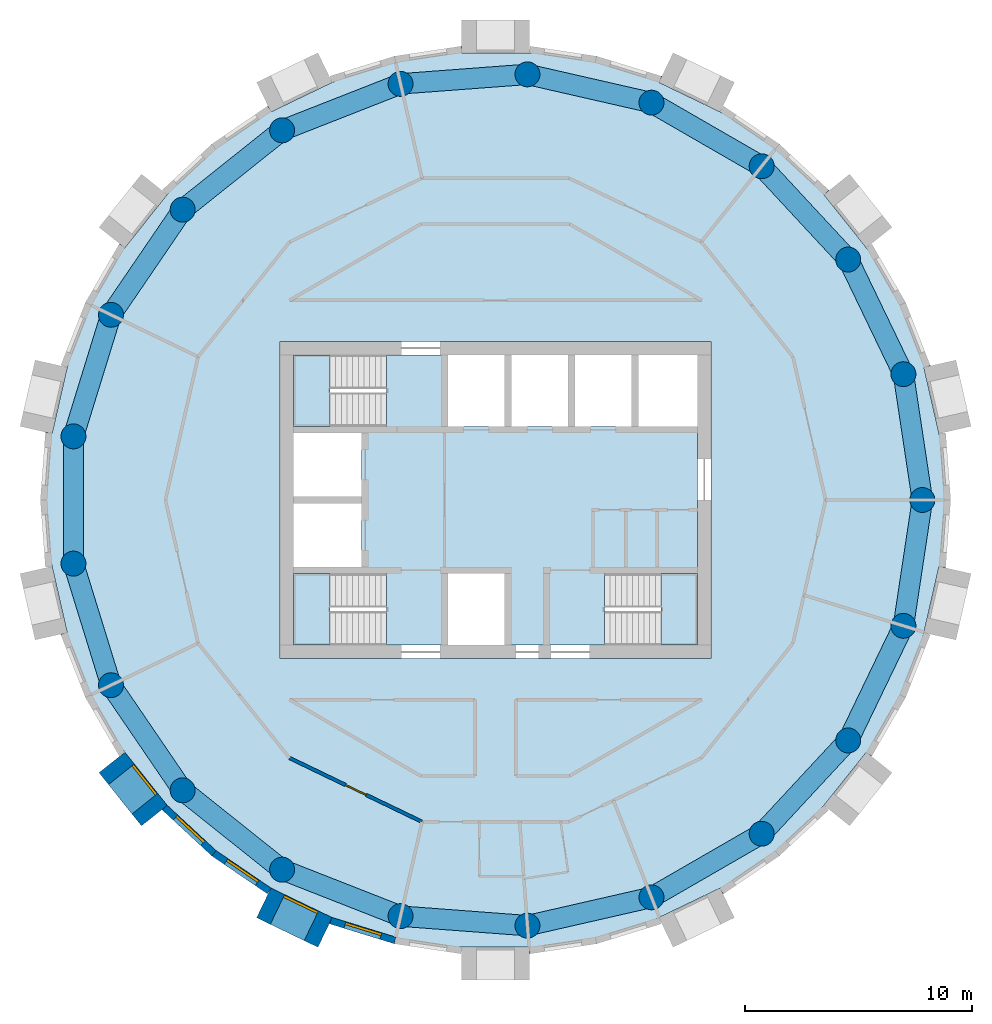
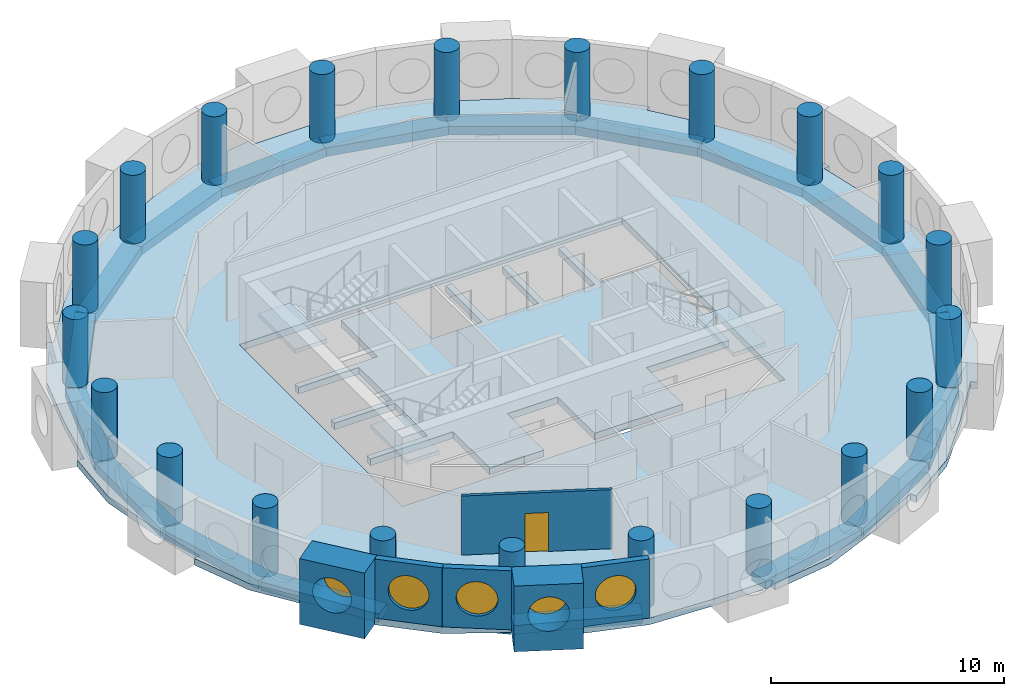
# One storey, part 1 of 13: 21 beams, 21 columns, 6 walls, 5 slabs, 5 windows, 1 door, 6 openings, 3 elements without a shape of their own.
"""IFC4 building model written with IfcOpenShell, lengths in metres."""

from ifc_helpers import new_model, si_unit, direction, frame, frame_2d, origin, origin_2d, place, context, subcontext, project, spatial, polyline, rectangle, circle, outline, extrude, material, layer, layer_set, material_profile, profile_set, type_object, element, fill, aggregate, save


model = new_model("IFC4")

# Units and contexts
model_context = context("Model", 3, precision=1e-05, world=origin(), true_north=direction((0.0, 1.0)))
body_context = subcontext(model_context, "Body", "Model", "MODEL_VIEW")
ifc_project = project(units=[si_unit("LENGTHUNIT", "METRE"), si_unit("AREAUNIT", "SQUARE_METRE"), si_unit("VOLUMEUNIT", "CUBIC_METRE"), si_unit("PLANEANGLEUNIT", "RADIAN"), si_unit("MASSUNIT", "GRAM", prefix="KILO")], contexts=[model_context])

# Site, building, storey
site_placement = place(None, origin())
site = spatial("IfcSite", under=ifc_project, at=site_placement, CompositionType="ELEMENT")
building_placement = place(site_placement, origin())
building = spatial("IfcBuilding", under=site, at=building_placement, Name="Tracery Tower", CompositionType="ELEMENT")
storey_placement = place(building_placement, frame((0.0, 0.0, 274.199951171875)))
storey = spatial("IfcBuildingStorey", under=building, at=storey_placement, Name="L71", CompositionType="ELEMENT", Elevation=274.199951171875)

# Columns
ifc_material_1 = material(Name="Concrete C40/50", Category="concrete")
ifc_material_profile_1 = material_profile(ifc_material_1, circle(Radius=0.550048828125, at=origin_2d()), Name="RC D1100")
ifc_profile_set_1 = profile_set([ifc_material_profile_1], Name="Concrete C40/50")
column_type = type_object("IfcColumnType", Name="Ring 2 column 1100", PredefinedType="COLUMN", material=ifc_profile_set_1)
for number, where, z_axis, x_axis, name in (
    (1, (18.822265625, 0.0, 0.0), (0.0, 0.0, 1.0), (1.0, 0.0, 0.0), "Ring 2 column 00 at L71"),
    (2, (17.986083984375, 5.5478515625, 0.0), (0.0, 0.0, 1.0), (1.0, 0.0, 0.0), "Ring 2 column 01 at L71"),
    (3, (15.551513671875, 10.602783203125, 0.0), (0.0, 0.0, 1.0), (1.0, 0.0, 0.0), "Ring 2 column 02 at L71"),
    (4, (11.7353515625, 14.7158203125, 0.0), (0.0, 0.0, 1.0), (1.0, 0.0, 0.0), "Ring 2 column 03 at L71"),
    (5, (6.87646484375, 17.52099609375, 0.0), (0.0, 0.0, 1.0), (1.0, 0.0, 0.0), "Ring 2 column 04 at L71"),
    (6, (1.406494140625, 18.76953125, 0.0), (0.0, 0.0, 1.0), (1.0, 0.0, 0.0), "Ring 2 column 05 at L71"),
    (7, (-4.188232421875, 18.350341796875, 0.0), (0.0, 0.0, 1.0), (1.0, 0.0, 0.0), "Ring 2 column 06 at L71"),
    (8, (-9.4111328125, 16.300537109375, 0.0), (0.0, 0.0, 1.0), (1.0, 0.0, 0.0), "Ring 2 column 07 at L71"),
    (9, (-13.797607421875, 12.802490234375, 0.0), (0.0, 0.0, 1.0), (1.0, 0.0, 0.0), "Ring 2 column 08 at L71"),
    (10, (-16.958251953125, 8.16650390625, 0.0), (0.0, 0.0, 1.0), (1.0, 0.0, 0.0), "Ring 2 column 09 at L71"),
    (11, (-18.612060546875, 2.805419921875, 0.0), (0.0, 0.0, 1.0), (1.0, 0.0, 0.0), "Ring 2 column 10 at L71"),
    (12, (-18.612060546875, -2.805419921875, 0.0), (0.0, 0.0, 1.0), (1.0, 0.0, 0.0), "Ring 2 column 11 at L71"),
    (13, (-16.958251953125, -8.166748046875, 0.0), (0.0, 0.0, 1.0), (1.0, 0.0, 0.0), "Ring 2 column 12 at L71"),
    (14, (-13.797607421875, -12.80224609375, 0.0), (0.0, 0.0, 1.0), (1.0, 0.0, 0.0), "Ring 2 column 13 at L71"),
    (15, (-9.4111328125, -16.300537109375, 0.0), (0.0, 0.0, 1.0), (1.0, 0.0, 0.0), "Ring 2 column 14 at L71"),
    (16, (-4.188232421875, -18.350341796875, 0.0), (0.0, 0.0, 1.0), (1.0, 0.0, 0.0), "Ring 2 column 15 at L71"),
    (17, (1.406494140625, -18.76953125, 0.0), (0.0, 0.0, 1.0), (1.0, 0.0, 0.0), "Ring 2 column 16 at L71"),
    (18, (6.87646484375, -17.52099609375, 0.0), (0.0, 0.0, 1.0), (1.0, 0.0, 0.0), "Ring 2 column 17 at L71"),
    (19, (11.7353515625, -14.7158203125, 0.0), (0.0, 0.0, 1.0), (1.0, 0.0, 0.0), "Ring 2 column 18 at L71"),
    (20, (15.551513671875, -10.602783203125, 0.0), (0.0, 0.0, 1.0), (1.0, 0.0, 0.0), "Ring 2 column 19 at L71"),
    (21, (17.986083984375, -5.5478515625, 0.0), (0.0, 0.0, 1.0), (1.0, 0.0, 0.0), "Ring 2 column 20 at L71"),
):
    element("IfcColumn", number, at=place(storey_placement, frame(where, z_axis=z_axis, x_axis=x_axis)), inside=storey, type_object=column_type, Name=name, PredefinedType="COLUMN", context=body_context, shape_type="SweptSolid", body=[
        extrude(circle(Radius=0.550048828125, at=origin_2d()), origin(), (0.0, 0.0, 1.0), 3.60009765625),
    ])

# Beams
ifc_material_2 = material(Name="Concrete C40/50", Category="concrete")
ifc_material_profile_2 = material_profile(ifc_material_2, rectangle(XDim=0.89990234375, YDim=0.449951171875, at=origin_2d()), Name="RC 900x450")
ifc_profile_set_2 = profile_set([ifc_material_profile_2], Name="Concrete C40/50")
beam_type = type_object("IfcBeamType", Name="Perimeter band beam 900x450", PredefinedType="BEAM", material=ifc_profile_set_2)
for number, where, z_axis, x_axis, name in (
    (22, (18.822265625, 0.0, -0.574951171875), (-0.149038355855, 0.988831415603, 0.0), (-0.988831415603, -0.149038355855, 0.0), "Perimeter beam 2.00 under L71"),
    (23, (17.986083984375, 5.5478515625, -0.574951171875), (-0.433918973155, 0.900951899235, 0.0), (-0.900951899235, -0.433918973155, 0.0), "Perimeter beam 2.01 under L71"),
):
    element("IfcBeam", number, at=place(storey_placement, frame(where, z_axis=z_axis, x_axis=x_axis)), inside=storey, type_object=beam_type, Name=name, PredefinedType="BEAM", context=body_context, shape_type="SweptSolid", body=[
        extrude(rectangle(XDim=0.89990234375, YDim=0.449951171875, at=origin_2d()), origin(), (0.0, 0.0, 1.0), 5.610595703125),
    ])
beam_1_placement = place(storey_placement, frame((15.551513671875, 10.602783203125, -0.574951171875), z_axis=(-0.680155630824, 0.733067744386, 0.0), x_axis=(-0.733067744386, -0.680155630824, 0.0)))
element("IfcBeam", 24, at=beam_1_placement, inside=storey, type_object=beam_type, Name="Perimeter beam 2.02 under L71", PredefinedType="BEAM", context=body_context, shape_type="SweptSolid", body=[
    extrude(rectangle(XDim=0.89990234375, YDim=0.449951171875, at=origin_2d()), origin(), (0.0, 0.0, 1.0), 5.61083984375),
])
for number, where, z_axis, x_axis, name in (
    (25, (11.7353515625, 14.7158203125, -0.574951171875), (-0.866033412818, 0.49998612769, 0.0), (-0.49998612769, -0.866033412818, 0.0), "Perimeter beam 2.03 under L71"),
    (26, (6.87646484375, 17.52099609375, -0.574951171875), (-0.974925977366, 0.222529410768, 0.0), (-0.222529410768, -0.974925977366, 0.0), "Perimeter beam 2.04 under L71"),
):
    element("IfcBeam", number, at=place(storey_placement, frame(where, z_axis=z_axis, x_axis=x_axis)), inside=storey, type_object=beam_type, Name=name, PredefinedType="BEAM", context=body_context, shape_type="SweptSolid", body=[
        extrude(rectangle(XDim=0.89990234375, YDim=0.449951171875, at=origin_2d()), origin(), (0.0, 0.0, 1.0), 5.610595703125),
    ])
beam_2_placement = place(storey_placement, frame((1.406494140625, 18.76953125, -0.574951171875), z_axis=(-0.997204824387, -0.07471638521, 0.0), x_axis=(0.07471638521, -0.997204824387, 0.0)))
element("IfcBeam", 27, at=beam_2_placement, inside=storey, type_object=beam_type, Name="Perimeter beam 2.05 under L71", PredefinedType="BEAM", context=body_context, shape_type="SweptSolid", body=[
    extrude(rectangle(XDim=0.89990234375, YDim=0.449951171875, at=origin_2d()), origin(), (0.0, 0.0, 1.0), 5.6103515625),
])
beam_3_placement = place(storey_placement, frame((-4.188232421875, 18.350341796875, -0.574951171875), z_axis=(-0.930875728468, -0.365335979817, 0.0), x_axis=(0.365335979817, -0.930875728468, 0.0)))
element("IfcBeam", 28, at=beam_3_placement, inside=storey, type_object=beam_type, Name="Perimeter beam 2.06 under L71", PredefinedType="BEAM", context=body_context, shape_type="SweptSolid", body=[
    extrude(rectangle(XDim=0.89990234375, YDim=0.449951171875, at=origin_2d()), origin(), (0.0, 0.0, 1.0), 5.61083984375),
])
beam_4_placement = place(storey_placement, frame((-9.4111328125, 16.300537109375, -0.574951171875), z_axis=(-0.781835817725, -0.623484365579, 0.0), x_axis=(0.623484365579, -0.781835817725, 0.0)))
element("IfcBeam", 29, at=beam_4_placement, inside=storey, type_object=beam_type, Name="Perimeter beam 2.07 under L71", PredefinedType="BEAM", context=body_context, shape_type="SweptSolid", body=[
    extrude(rectangle(XDim=0.89990234375, YDim=0.449951171875, at=origin_2d()), origin(), (0.0, 0.0, 1.0), 5.610595703125),
])
beam_5_placement = place(storey_placement, frame((-13.797607421875, 12.802490234375, -0.574951171875), z_axis=(-0.563305770578, -0.826248515178, 0.0), x_axis=(0.826248515178, -0.563305770578, 0.0)))
element("IfcBeam", 30, at=beam_5_placement, inside=storey, type_object=beam_type, Name="Perimeter beam 2.08 under L71", PredefinedType="BEAM", context=body_context, shape_type="SweptSolid", body=[
    extrude(rectangle(XDim=0.89990234375, YDim=0.449951171875, at=origin_2d()), origin(), (0.0, 0.0, 1.0), 5.61083984375),
])
beam_6_placement = place(storey_placement, frame((-16.958251953125, 8.16650390625, -0.574951171875), z_axis=(-0.294776851839, -0.955566118916, 0.0), x_axis=(0.955566118916, -0.294776851839, 0.0)))
element("IfcBeam", 31, at=beam_6_placement, inside=storey, type_object=beam_type, Name="Perimeter beam 2.09 under L71", PredefinedType="BEAM", context=body_context, shape_type="SweptSolid", body=[
    extrude(rectangle(XDim=0.89990234375, YDim=0.449951171875, at=origin_2d()), origin(), (0.0, 0.0, 1.0), 5.6103515625),
])
beam_7_placement = place(storey_placement, frame((-18.612060546875, 2.805419921875, -0.574951171875), z_axis=(0.0, -1.0, 0.0), x_axis=(1.0, 0.0, 0.0)))
element("IfcBeam", 32, at=beam_7_placement, inside=storey, type_object=beam_type, Name="Perimeter beam 2.10 under L71", PredefinedType="BEAM", context=body_context, shape_type="SweptSolid", body=[
    extrude(rectangle(XDim=0.89990234375, YDim=0.449951171875, at=origin_2d()), origin(), (0.0, 0.0, 1.0), 5.61083984375),
])
for number, where, z_axis, x_axis, name in (
    (33, (-18.612060546875, -2.805419921875, -0.574951171875), (0.294764594813, -0.955569899926, 0.0), (0.955569899926, 0.294764594813, 0.0), "Perimeter beam 2.11 under L71"),
    (34, (-16.958251953125, -8.166748046875, -0.574951171875), (0.5633462764, -0.826220898348, 0.0), (0.826220898348, 0.5633462764, 0.0), "Perimeter beam 2.12 under L71"),
    (35, (-13.797607421875, -12.80224609375, -0.574951171875), (0.781814605872, -0.623510963853, 0.0), (0.623510963853, 0.781814605872, 0.0), "Perimeter beam 2.13 under L71"),
):
    element("IfcBeam", number, at=place(storey_placement, frame(where, z_axis=z_axis, x_axis=x_axis)), inside=storey, type_object=beam_type, Name=name, PredefinedType="BEAM", context=body_context, shape_type="SweptSolid", body=[
        extrude(rectangle(XDim=0.89990234375, YDim=0.449951171875, at=origin_2d()), origin(), (0.0, 0.0, 1.0), 5.610595703125),
    ])
beam_8_placement = place(storey_placement, frame((-9.4111328125, -16.300537109375, -0.574951171875), z_axis=(0.930875728468, -0.365335979817, 0.0), x_axis=(0.365335979817, 0.930875728468, 0.0)))
element("IfcBeam", 36, at=beam_8_placement, inside=storey, type_object=beam_type, Name="Perimeter beam 2.14 under L71", PredefinedType="BEAM", context=body_context, shape_type="SweptSolid", body=[
    extrude(rectangle(XDim=0.89990234375, YDim=0.449951171875, at=origin_2d()), origin(), (0.0, 0.0, 1.0), 5.61083984375),
])
beam_9_placement = place(storey_placement, frame((-4.188232421875, -18.350341796875, -0.574951171875), z_axis=(0.997204824387, -0.07471638521, 0.0), x_axis=(0.07471638521, 0.997204824387, 0.0)))
element("IfcBeam", 37, at=beam_9_placement, inside=storey, type_object=beam_type, Name="Perimeter beam 2.15 under L71", PredefinedType="BEAM", context=body_context, shape_type="SweptSolid", body=[
    extrude(rectangle(XDim=0.89990234375, YDim=0.449951171875, at=origin_2d()), origin(), (0.0, 0.0, 1.0), 5.6103515625),
])
for number, where, z_axis, x_axis, name in (
    (38, (1.406494140625, -18.76953125, -0.574951171875), (0.974925977366, 0.222529410768, 0.0), (-0.222529410768, 0.974925977366, 0.0), "Perimeter beam 2.16 under L71"),
    (39, (6.87646484375, -17.52099609375, -0.574951171875), (0.866033412818, 0.49998612769, 0.0), (-0.49998612769, 0.866033412818, 0.0), "Perimeter beam 2.17 under L71"),
):
    element("IfcBeam", number, at=place(storey_placement, frame(where, z_axis=z_axis, x_axis=x_axis)), inside=storey, type_object=beam_type, Name=name, PredefinedType="BEAM", context=body_context, shape_type="SweptSolid", body=[
        extrude(rectangle(XDim=0.89990234375, YDim=0.449951171875, at=origin_2d()), origin(), (0.0, 0.0, 1.0), 5.610595703125),
    ])
beam_10_placement = place(storey_placement, frame((11.7353515625, -14.7158203125, -0.574951171875), z_axis=(0.680155630824, 0.733067744386, 0.0), x_axis=(-0.733067744386, 0.680155630824, 0.0)))
element("IfcBeam", 40, at=beam_10_placement, inside=storey, type_object=beam_type, Name="Perimeter beam 2.18 under L71", PredefinedType="BEAM", context=body_context, shape_type="SweptSolid", body=[
    extrude(rectangle(XDim=0.89990234375, YDim=0.449951171875, at=origin_2d()), origin(), (0.0, 0.0, 1.0), 5.61083984375),
])
for number, where, z_axis, x_axis, name in (
    (41, (15.551513671875, -10.602783203125, -0.574951171875), (0.433918973155, 0.900951899235, 0.0), (-0.900951899235, 0.433918973155, 0.0), "Perimeter beam 2.19 under L71"),
    (42, (17.986083984375, -5.5478515625, -0.574951171875), (0.149038355855, 0.988831415603, 0.0), (-0.988831415603, 0.149038355855, 0.0), "Perimeter beam 2.20 under L71"),
):
    element("IfcBeam", number, at=place(storey_placement, frame(where, z_axis=z_axis, x_axis=x_axis)), inside=storey, type_object=beam_type, Name=name, PredefinedType="BEAM", context=body_context, shape_type="SweptSolid", body=[
        extrude(rectangle(XDim=0.89990234375, YDim=0.449951171875, at=origin_2d()), origin(), (0.0, 0.0, 1.0), 5.610595703125),
    ])

# Slabs
ifc_material_3 = material(Name="Concrete C40/50", Category="concrete")
ifc_layer_1 = layer(ifc_material_3, 0.35009765625)
ifc_layer_set_1 = layer_set([ifc_layer_1], Name="Core floor slab 350 C40")
slab_type_1 = type_object("IfcSlabType", Name="Core floor slab 350 C40", PredefinedType="FLOOR", material=ifc_layer_set_1)
slab_1_placement = place(storey_placement, frame((0.0, 0.0, -0.349853515625)))
element("IfcSlab", 43, at=slab_1_placement, inside=storey, type_object=slab_type_1, Name="L71 core floor 1", PredefinedType="FLOOR", context=body_context, shape_type="SweptSolid", body=[
    extrude(outline(polyline([(-4.800537109375, -3.25), (-8.89990234375, -3.25), (-8.89990234375, -2.949951171875), (-5.89990234375, -2.949951171875), (-5.89990234375, -0.14990234375), (-8.89990234375, -0.14990234375), (-8.89990234375, 0.14990234375), (-5.89990234375, 0.14990234375), (-5.89990234375, 2.949951171875), (-8.89990234375, 2.949951171875), (-8.89990234375, 3.25), (-4.800537109375, 3.25), (-4.800537109375, 6.39990234375), (-2.10009765625, 6.39990234375), (-2.10009765625, 3.25), (0.39990234375, 3.25), (0.39990234375, 6.39990234375), (0.699951171875, 6.39990234375), (0.699951171875, 3.25), (3.199951171875, 3.25), (3.199951171875, 6.39990234375), (3.5, 6.39990234375), (3.5, 3.25), (6.0, 3.25), (6.0, 6.39990234375), (6.300048828125, 6.39990234375), (6.300048828125, 3.25), (8.89990234375, 3.25), (8.89990234375, -3.25), (4.800537109375, -3.25), (4.800537109375, -6.39990234375), (0.39990234375, -6.39990234375), (0.39990234375, -3.25), (-2.10009765625, -3.25), (-2.10009765625, -6.39990234375), (-4.800537109375, -6.39990234375), (-4.800537109375, -3.25)])), origin(), (0.0, 0.0, 1.0), 0.349853515625),
])
ifc_material_4 = material(Name="Concrete C40/50", Category="concrete")
ifc_layer_2 = layer(ifc_material_4, 0.35009765625)
ifc_layer_set_2 = layer_set([ifc_layer_2], Name="Floor slab 350")
slab_type_2 = type_object("IfcSlabType", Name="Floor slab 350", PredefinedType="FLOOR", material=ifc_layer_set_2)
slab_2_placement = place(storey_placement, frame((0.0, 0.0, -0.349853515625)))
element("IfcSlab", 44, at=slab_2_placement, inside=storey, type_object=slab_type_2, Name="Floor slab L71", PredefinedType="FLOOR", context=body_context, shape_type="SweptSolid", body=[
    extrude(outline(polyline([(19.243408203125, 4.291748046875), (18.887939453125, 5.849609375), (19.18017578125, 5.916259765625), (19.180419921875, 5.91650390625), (18.08447265625, 8.708984375), (16.336181640625, 11.13720703125), (15.6845703125, 11.954345703125), (14.493408203125, 13.447998046875), (14.493408203125, 13.447998046875), (14.4794921875, 13.465576171875), (14.7138671875, 13.652587890625), (14.714111328125, 13.652587890625), (12.514892578125, 15.693115234375), (9.885986328125, 17.122314453125), (9.227294921875, 17.439697265625), (7.223388671875, 18.404541015625), (7.223388671875, 18.404541015625), (7.202880859375, 18.414306640625), (7.333251953125, 18.6845703125), (7.333251953125, 18.684814453125), (4.466552734375, 19.56884765625), (1.47802734375, 19.716064453125), (-1.5, 19.716064453125), (-1.5, 20.01611328125), (-1.5, 20.01611328125), (-4.466552734375, 19.56884765625), (-7.223388671875, 18.404541015625), (-9.227294921875, 17.439697265625), (-9.906005859375, 17.11279296875), (-10.035888671875, 17.3828125), (-10.0361328125, 17.383056640625), (-12.514892578125, 15.693115234375), (-14.493408203125, 13.447998046875), (-15.6845703125, 11.954345703125), (-16.349853515625, 11.1201171875), (-16.58447265625, 11.30712890625), (-18.08447265625, 8.708984375), (-18.892822265625, 5.828125), (-19.243408203125, 4.291748046875), (-19.550537109375, 2.94677734375), (-19.550537109375, 2.94677734375), (-19.555419921875, 2.9248046875), (-19.847900390625, 2.99169921875), (-19.847900390625, 2.99169921875), (-20.072265625, 0.0), (-19.550537109375, -2.94677734375), (-19.243408203125, -4.291748046875), (-18.887939453125, -5.849609375), (-19.18017578125, -5.916259765625), (-19.180419921875, -5.91650390625), (-18.08447265625, -8.708984375), (-16.336181640625, -11.13720703125), (-15.6845703125, -11.954345703125), (-14.493408203125, -13.447998046875), (-14.493408203125, -13.447998046875), (-14.4794921875, -13.465576171875), (-14.7138671875, -13.652587890625), (-14.714111328125, -13.652587890625), (-12.514892578125, -15.693115234375), (-9.885986328125, -17.122314453125), (-9.227294921875, -17.439697265625), (-7.223388671875, -18.404541015625), (-7.223388671875, -18.404541015625), (-7.202880859375, -18.414306640625), (-7.333251953125, -18.6845703125), (-7.333251953125, -18.684814453125), (-4.466552734375, -19.56884765625), (-1.47802734375, -19.716064453125), (1.5, -19.716064453125), (1.5, -20.01611328125), (1.5, -20.01611328125), (4.466552734375, -19.56884765625), (7.223388671875, -18.404541015625), (9.227294921875, -17.439697265625), (9.906005859375, -17.11279296875), (10.035888671875, -17.3828125), (10.0361328125, -17.383056640625), (12.514892578125, -15.693115234375), (14.493408203125, -13.447998046875), (15.6845703125, -11.954345703125), (16.349853515625, -11.1201171875), (16.58447265625, -11.30712890625), (18.08447265625, -8.708984375), (18.892822265625, -5.828125), (19.243408203125, -4.291748046875), (19.550537109375, -2.94677734375), (19.550537109375, -2.94677734375), (19.555419921875, -2.9248046875), (19.847900390625, -2.99169921875), (19.847900390625, -2.99169921875), (20.072265625, 0.0), (19.550537109375, 2.94677734375), (19.243408203125, 4.291748046875)]), holes=[polyline([(-9.5, -7.0), (9.5, -7.0), (9.5, 7.0), (-9.5, 7.0), (-9.5, -7.0)])]), origin(), (0.0, 0.0, 1.0), 0.349853515625),
])

# Stair, slab
ifc_material_5 = material(Name="Concrete C32/40", Category="concrete")
stair_type = type_object("IfcStairType", Name="Core stair 22 risers", PredefinedType="HALF_TURN_STAIR", material=ifc_material_5)
stair_1_placement = place(storey_placement, origin())
stair_1 = element("IfcStair", 45, at=stair_1_placement, inside=storey, type_object=stair_type, Name="L71 stair ST1", PredefinedType="HALF_TURN_STAIR")
ifc_material_6 = material(Name="Concrete C32/40", Category="concrete")
ifc_layer_3 = layer(ifc_material_6, 0.199951171875)
ifc_layer_set_3 = layer_set([ifc_layer_3], Name="Stair landing slab 200")
slab_type_3 = type_object("IfcSlabType", Name="Stair landing slab 200", PredefinedType="LANDING", material=ifc_layer_set_3)
slab_3_placement = place(storey_placement, frame((0.0, 0.0, 1.60009765625)))
slab_3 = element("IfcSlab", 46, at=slab_3_placement, type_object=slab_type_3, Name="ST1 landing 1", PredefinedType="LANDING", context=body_context, shape_type="SweptSolid", body=[
    extrude(outline(polyline([(-7.29931640625, -3.25), (-8.89990234375, -3.25), (-8.89990234375, -6.39990234375), (-7.29931640625, -6.39990234375), (-7.29931640625, -3.25)])), origin(), (0.0, 0.0, 1.0), 0.199951171875),
])
aggregate(stair_1, [slab_3])

stair_2_placement = place(storey_placement, origin())
stair_2 = element("IfcStair", 47, at=stair_2_placement, inside=storey, type_object=stair_type, Name="L71 stair ST3", PredefinedType="HALF_TURN_STAIR")
slab_4_placement = place(storey_placement, frame((0.0, 0.0, 1.60009765625)))
slab_4 = element("IfcSlab", 48, at=slab_4_placement, type_object=slab_type_3, Name="ST3 landing 1", PredefinedType="LANDING", context=body_context, shape_type="SweptSolid", body=[
    extrude(outline(polyline([(-7.29931640625, 6.39990234375), (-8.89990234375, 6.39990234375), (-8.89990234375, 3.25), (-7.29931640625, 3.25), (-7.29931640625, 6.39990234375)])), origin(), (0.0, 0.0, 1.0), 0.199951171875),
])
aggregate(stair_2, [slab_4])

stair_3_placement = place(storey_placement, origin())
stair_3 = element("IfcStair", 49, at=stair_3_placement, inside=storey, type_object=stair_type, Name="L71 stair ST2", PredefinedType="HALF_TURN_STAIR")
slab_5_placement = place(storey_placement, frame((0.0, 0.0, 1.60009765625)))
slab_5 = element("IfcSlab", 50, at=slab_5_placement, type_object=slab_type_3, Name="ST2 landing 1", PredefinedType="LANDING", context=body_context, shape_type="SweptSolid", body=[
    extrude(outline(polyline([(7.29931640625, -6.39990234375), (8.89990234375, -6.39990234375), (8.89990234375, -3.25), (7.29931640625, -3.25), (7.29931640625, -6.39990234375)])), origin(), (0.0, 0.0, 1.0), 0.199951171875),
])
aggregate(stair_3, [slab_5])

# Wall, opening, window
ifc_material_7 = material(Name="Precast concrete C50/60", Category="concrete")
ifc_layer_4 = layer(ifc_material_7, 1.449951171875)
ifc_layer_set_4 = layer_set([ifc_layer_4], Name="Deep-set bay unit 3000 x 3450, slab edge 350")
wall_type_1 = type_object("IfcWallType", Name="Deep-set bay unit 3000 x 3450, slab edge 350", PredefinedType="ELEMENTEDWALL", material=ifc_layer_set_4)
wall_1_placement = place(storey_placement, frame((-16.916748046875, -11.572021484375, -0.349853515625), z_axis=(0.0, 0.0, 1.0), x_axis=(0.623523286312, -0.781804778335, 0.0)))
wall_1 = element("IfcWall", 51, at=wall_1_placement, inside=storey, type_object=wall_type_1, Name="Deep-set bay unit 26 at L71", PredefinedType="ELEMENTEDWALL", context=body_context, shape_type="SweptSolid", body=[
    extrude(rectangle(XDim=3.0, YDim=1.449951171875, at=frame_2d((1.5, 0.0))), origin(), (0.0, 0.0, 1.0), 3.449951171875),
])
opening_1_placement = place(wall_1_placement, frame((1.5, 0.0, 1.89990234375)))
opening_1 = element("IfcOpeningElement", 52, at=opening_1_placement, cuts=wall_1, Name="Opening WN1", PredefinedType="OPENING", context=body_context, shape_type="SweptSolid", body=[
    extrude(circle(Radius=0.9000244140625, at=origin_2d()), frame((0.0, 0.73486328125, 0.0), z_axis=(0.0, -1.0, 0.0), x_axis=(1.0, 0.0, 0.0)), (0.0, 0.0, 1.0), 1.469970703125),
])
ifc_material_8 = material(Name="Aluminium frame with tinted double glazing", Category="aluminium")
window_type = type_object("IfcWindowType", Name="Round window 1800", PartitioningType="SINGLE_PANEL", PredefinedType="WINDOW", material=ifc_material_8)
window_1_placement = place(opening_1_placement, origin())
window_1 = element("IfcWindow", 53, at=window_1_placement, inside=storey, type_object=window_type, Name="Round window 26 at L71", OverallHeight=1.800048828125, OverallWidth=1.800048828125, PartitioningType="SINGLE_PANEL", PredefinedType="WINDOW", context=body_context, shape_type="SweptSolid", body=[
    extrude(circle(Radius=0.9000244140625, at=origin_2d()), frame((0.0, 0.69482421875, 0.0), z_axis=(0.0, -1.0, 0.0), x_axis=(1.0, 0.0, 0.0)), (0.0, 0.0, 1.0), 0.10009765625),
])
fill(opening_1, window_1)

wall_2_placement = place(storey_placement, frame((-10.220458984375, -17.765869140625, -0.349853515625), z_axis=(0.0, 0.0, 1.0), x_axis=(0.900953362039, -0.433915935904, 0.0)))
wall_2 = element("IfcWall", 54, at=wall_2_placement, inside=storey, type_object=wall_type_1, Name="Deep-set bay unit 29 at L71", PredefinedType="ELEMENTEDWALL", context=body_context, shape_type="SweptSolid", body=[
    extrude(rectangle(XDim=3.0, YDim=1.449951171875, at=frame_2d((1.5, 0.0))), origin(), (0.0, 0.0, 1.0), 3.449951171875),
])
opening_2_placement = place(wall_2_placement, frame((1.5, 0.0, 1.89990234375)))
opening_2 = element("IfcOpeningElement", 55, at=opening_2_placement, cuts=wall_2, Name="Opening WN1", PredefinedType="OPENING", context=body_context, shape_type="SweptSolid", body=[
    extrude(circle(Radius=0.9000244140625, at=origin_2d()), frame((0.0, 0.73486328125, 0.0), z_axis=(0.0, -1.0, 0.0), x_axis=(1.0, 0.0, 0.0)), (0.0, 0.0, 1.0), 1.469970703125),
])
window_2_placement = place(opening_2_placement, origin())
window_2 = element("IfcWindow", 56, at=window_2_placement, inside=storey, type_object=window_type, Name="Round window 29 at L71", OverallHeight=1.800048828125, OverallWidth=1.800048828125, PartitioningType="SINGLE_PANEL", PredefinedType="WINDOW", context=body_context, shape_type="SweptSolid", body=[
    extrude(circle(Radius=0.9000244140625, at=origin_2d()), frame((0.0, 0.69482421875, 0.0), z_axis=(0.0, -1.0, 0.0), x_axis=(1.0, 0.0, 0.0)), (0.0, 0.0, 1.0), 0.10009765625),
])
fill(opening_2, window_2)

ifc_material_9 = material(Name="Precast concrete C50/60", Category="concrete")
ifc_layer_5 = layer(ifc_material_9, 0.300048828125)
ifc_layer_set_5 = layer_set([ifc_layer_5], Name="Facade panel 3000 x 3100")
wall_type_2 = type_object("IfcWallType", Name="Facade panel 3000 x 3100", PredefinedType="SOLIDWALL", material=ifc_layer_set_5)
wall_3_placement = place(storey_placement, frame((-14.592529296875, -13.560546875, 0.0), z_axis=(0.0, 0.0, 1.0), x_axis=(0.733028283666, -0.680198158882, 0.0)))
wall_3 = element("IfcWall", 57, at=wall_3_placement, inside=storey, type_object=wall_type_2, Name="Facade panel 27 at L71", PredefinedType="SOLIDWALL", context=body_context, shape_type="SweptSolid", body=[
    extrude(rectangle(XDim=2.962158203125, YDim=0.300048828125, at=frame_2d((1.48095703125, 0.0))), origin(), (0.0, 0.0, 1.0), 3.10009765625),
])
opening_3_placement = place(wall_3_placement, frame((1.48095703125, 0.0, 1.5498046875)))
opening_3 = element("IfcOpeningElement", 58, at=opening_3_placement, cuts=wall_3, Name="Opening WN1", PredefinedType="OPENING", context=body_context, shape_type="SweptSolid", body=[
    extrude(circle(Radius=0.9000244140625, at=origin_2d()), frame((0.0, 0.159912109375, 0.0), z_axis=(0.0, -1.0, 0.0), x_axis=(1.0, 0.0, 0.0)), (0.0, 0.0, 1.0), 0.320068359375),
])
window_3_placement = place(opening_3_placement, origin())
window_3 = element("IfcWindow", 59, at=window_3_placement, inside=storey, type_object=window_type, Name="Round window 27 at L71", OverallHeight=1.800048828125, OverallWidth=1.800048828125, PartitioningType="SINGLE_PANEL", PredefinedType="WINDOW", context=body_context, shape_type="SweptSolid", body=[
    extrude(circle(Radius=0.9000244140625, at=origin_2d()), frame((0.0, 0.1201171875, 0.0), z_axis=(0.0, -1.0, 0.0), x_axis=(1.0, 0.0, 0.0)), (0.0, 0.0, 1.0), 0.10009765625),
])
fill(opening_3, window_3)

wall_4_placement = place(storey_placement, frame((-12.421142578125, -15.575439453125, 0.0), z_axis=(0.0, 0.0, 1.0), x_axis=(0.826236061068, -0.563324037646, 0.0)))
wall_4 = element("IfcWall", 60, at=wall_4_placement, inside=storey, type_object=wall_type_2, Name="Facade panel 28 at L71", PredefinedType="SOLIDWALL", context=body_context, shape_type="SweptSolid", body=[
    extrude(rectangle(XDim=2.962158203125, YDim=0.300048828125, at=frame_2d((1.48095703125, 0.0))), origin(), (0.0, 0.0, 1.0), 3.10009765625),
])
opening_4_placement = place(wall_4_placement, frame((1.48095703125, 0.0, 1.5498046875)))
opening_4 = element("IfcOpeningElement", 61, at=opening_4_placement, cuts=wall_4, Name="Opening WN1", PredefinedType="OPENING", context=body_context, shape_type="SweptSolid", body=[
    extrude(circle(Radius=0.9000244140625, at=origin_2d()), frame((0.0, 0.159912109375, 0.0), z_axis=(0.0, -1.0, 0.0), x_axis=(1.0, 0.0, 0.0)), (0.0, 0.0, 1.0), 0.320068359375),
])
window_4_placement = place(opening_4_placement, origin())
window_4 = element("IfcWindow", 62, at=window_4_placement, inside=storey, type_object=window_type, Name="Round window 28 at L71", OverallHeight=1.800048828125, OverallWidth=1.800048828125, PartitioningType="SINGLE_PANEL", PredefinedType="WINDOW", context=body_context, shape_type="SweptSolid", body=[
    extrude(circle(Radius=0.9000244140625, at=origin_2d()), frame((0.0, 0.1201171875, 0.0), z_axis=(0.0, -1.0, 0.0), x_axis=(1.0, 0.0, 0.0)), (0.0, 0.0, 1.0), 0.10009765625),
])
fill(opening_4, window_4)

wall_5_placement = place(storey_placement, frame((-7.263671875, -18.549072265625, 0.0), z_axis=(0.0, 0.0, 1.0), x_axis=(0.955555982805, -0.29480970765, 0.0)))
wall_5 = element("IfcWall", 63, at=wall_5_placement, inside=storey, type_object=wall_type_2, Name="Facade panel 30 at L71", PredefinedType="SOLIDWALL", context=body_context, shape_type="SweptSolid", body=[
    extrude(rectangle(XDim=2.962158203125, YDim=0.300048828125, at=frame_2d((1.48095703125, 0.0))), origin(), (0.0, 0.0, 1.0), 3.10009765625),
])
opening_5_placement = place(wall_5_placement, frame((1.48095703125, 0.0, 1.5498046875)))
opening_5 = element("IfcOpeningElement", 64, at=opening_5_placement, cuts=wall_5, Name="Opening WN1", PredefinedType="OPENING", context=body_context, shape_type="SweptSolid", body=[
    extrude(circle(Radius=0.9000244140625, at=origin_2d()), frame((0.0, 0.159912109375, 0.0), z_axis=(0.0, -1.0, 0.0), x_axis=(1.0, 0.0, 0.0)), (0.0, 0.0, 1.0), 0.320068359375),
])
window_5_placement = place(opening_5_placement, origin())
window_5 = element("IfcWindow", 65, at=window_5_placement, inside=storey, type_object=window_type, Name="Round window 30 at L71", OverallHeight=1.800048828125, OverallWidth=1.800048828125, PartitioningType="SINGLE_PANEL", PredefinedType="WINDOW", context=body_context, shape_type="SweptSolid", body=[
    extrude(circle(Radius=0.9000244140625, at=origin_2d()), frame((0.0, 0.1201171875, 0.0), z_axis=(0.0, -1.0, 0.0), x_axis=(1.0, 0.0, 0.0)), (0.0, 0.0, 1.0), 0.10009765625),
])
fill(opening_5, window_5)

# Wall, opening, door
ifc_material_10 = material(Name="Plasterboard on steel studs", Category="steel")
ifc_layer_6 = layer(ifc_material_10, 0.14990234375)
ifc_layer_set_6 = layer_set([ifc_layer_6], Name="Partition 150 corridor wall")
wall_type_3 = type_object("IfcWallType", Name="Partition 150 corridor wall", PredefinedType="PARTITIONING", material=ifc_layer_set_6)
wall_6_placement = place(storey_placement, frame((-9.075927734375, -11.381103515625, 0.0), z_axis=(0.0, 0.0, 1.0), x_axis=(0.900976027191, -0.433868872388, 0.0)))
wall_6 = element("IfcWall", 66, at=wall_6_placement, inside=storey, type_object=wall_type_3, Name="Corridor wall RC5-039", PredefinedType="PARTITIONING", context=body_context, shape_type="SweptSolid", body=[
    extrude(rectangle(XDim=6.478515625, YDim=0.14990234375, at=frame_2d((3.2392578125, 0.0))), origin(), (0.0, 0.0, 1.0), 3.10009765625),
])
opening_6_placement = place(wall_6_placement, frame((2.739501953125, 0.0, 0.0)))
opening_6 = element("IfcOpeningElement", 67, at=opening_6_placement, cuts=wall_6, Name="Opening RC5-08", PredefinedType="OPENING", context=body_context, shape_type="SweptSolid", body=[
    extrude(rectangle(XDim=1.0, YDim=2.0400390625, at=frame_2d((0.5, 1.02001953125))), frame((0.0, 0.074951171875, 0.0), z_axis=(0.0, -1.0, 0.0), x_axis=(1.0, 0.0, 0.0)), (0.0, 0.0, 1.0), 0.14990234375),
])
ifc_material_11 = material(Name="Timber door leaf", Category="wood")
door_type = type_object("IfcDoorType", Name="Door communal room 1000", OperationType="NOTDEFINED", PredefinedType="DOOR", material=ifc_material_11)
door_placement = place(opening_6_placement, origin())
door = element("IfcDoor", 68, at=door_placement, inside=storey, type_object=door_type, Name="Communal room door RC5-08", OperationType="SINGLE_SWING_LEFT", OverallHeight=2.0400390625, OverallWidth=1.0, PredefinedType="DOOR", context=body_context, shape_type="SweptSolid", body=[
    extrude(rectangle(XDim=1.0, YDim=2.0400390625, at=frame_2d((0.5, 1.02001953125))), frame((0.0, 0.02490234375, 0.0), z_axis=(0.0, -1.0, 0.0), x_axis=(1.0, 0.0, 0.0)), (0.0, 0.0, 1.0), 0.050048828125),
])
fill(opening_6, door)

save(model, "model.ifc")
